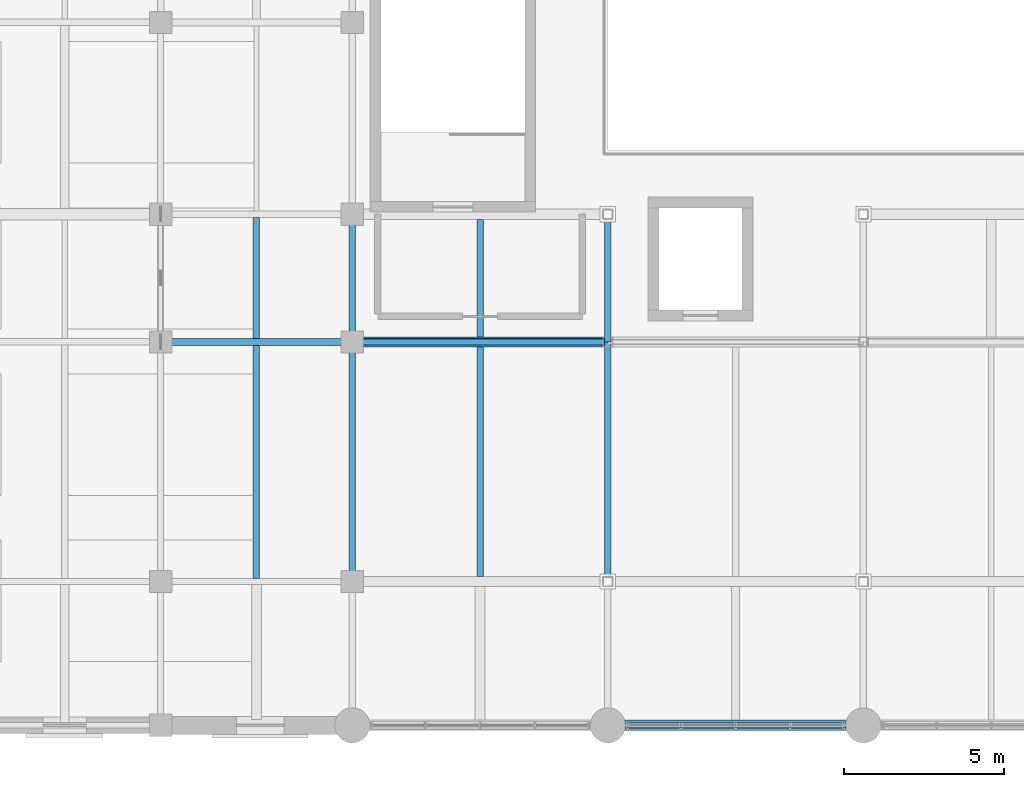
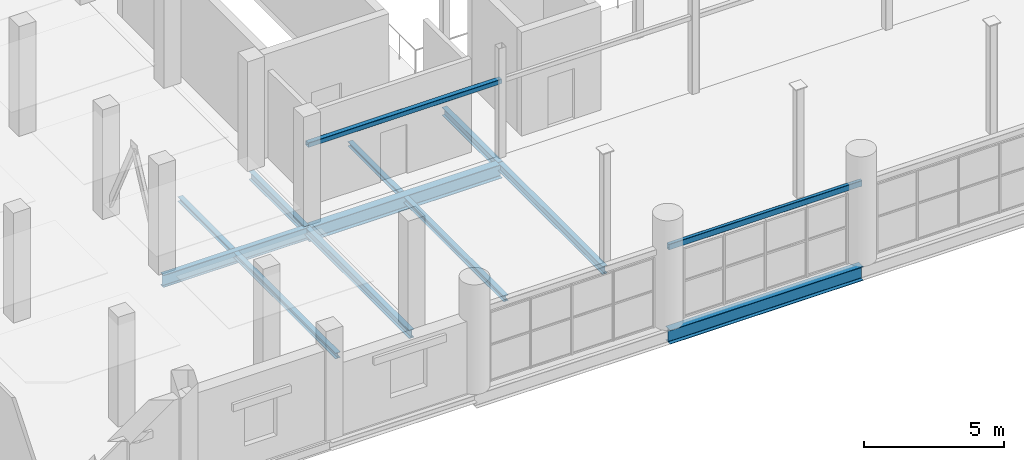
# One storey, part 16 of 114: 13 beams.
"""IFC4 building model written with IfcOpenShell, lengths in metres."""

from ifc_helpers import new_model, si_unit, direction, frame, origin, origin_2d, place, context, subcontext, project, spatial, hollow_rectangle, i_section, extrude, material, material_profile, profile_set, type_object, element, save


model = new_model("IFC4")

# Units and contexts
model_context = context("Model", 3, precision=1e-05, world=origin(), true_north=direction((0.0, 1.0)))
body_context = subcontext(model_context, "Body", "Model", "MODEL_VIEW")
ifc_project = project(units=[si_unit("LENGTHUNIT", "METRE"), si_unit("AREAUNIT", "SQUARE_METRE"), si_unit("VOLUMEUNIT", "CUBIC_METRE"), si_unit("PLANEANGLEUNIT", "RADIAN"), si_unit("MASSUNIT", "GRAM", prefix="KILO")], contexts=[model_context])

# Site, building, storey
site_placement = place(None, origin())
site = spatial("IfcSite", under=ifc_project, at=site_placement, CompositionType="ELEMENT")
building_placement = place(site_placement, origin())
building = spatial("IfcBuilding", under=site, at=building_placement, Name="Verrall Gate Interchange", CompositionType="ELEMENT")
storey_placement = place(building_placement, frame((0.0, 0.0, 6.60009765625)))
storey = spatial("IfcBuildingStorey", under=building, at=storey_placement, Name="L02", CompositionType="ELEMENT", Elevation=6.60009765625)

# Beams
ifc_material_1 = material(Name="Structural Steel CSA G40.21 350WT Cat 4", Category="steel")
ifc_material_profile_1 = material_profile(ifc_material_1, i_section(OverallWidth=0.323974609375, OverallDepth=0.611083984375, WebThickness=0.0126953125, FlangeThickness=0.01904296875, FilletRadius=0.014892578125, at=origin_2d()), Name="W610x155")
ifc_profile_set_1 = profile_set([ifc_material_profile_1], Name="Structural Steel CSA G40.21 350WT Cat 4")
beam_type_1 = type_object("IfcBeamType", Name="B-08 Structural Beam W610x155", PredefinedType="BEAM", material=ifc_profile_set_1)
for number, where, z_axis, x_axis, name in (
    (1, (44.0, 0.0, -0.585693359375), (1.0, 0.0, 0.0), (0.0, 1.0, 0.0), "L02 Girder BM-L02-1442 (B-08)"),
    (2, (36.0, 12.0, -0.585693359375), (1.0, 0.0, 0.0), (0.0, 1.0, 0.0), "L02 Girder BM-L02-1472 (B-08)"),
):
    element("IfcBeam", number, at=place(storey_placement, frame(where, z_axis=z_axis, x_axis=x_axis)), inside=storey, type_object=beam_type_1, Name=name, PredefinedType="BEAM", context=body_context, shape_type="SweptSolid", body=[
        extrude(i_section(OverallWidth=0.323974609375, OverallDepth=0.611083984375, WebThickness=0.0126953125, FlangeThickness=0.01904296875, FilletRadius=0.014892578125, at=origin_2d()), origin(), (0.0, 0.0, 1.0), 8.0),
    ])
ifc_material_2 = material(Name="Structural Steel CSA G40.21 350W", Category="steel")
ifc_material_profile_2 = material_profile(ifc_material_2, i_section(OverallWidth=0.2109375, OverallDepth=0.5390625, WebThickness=0.01171875, FlangeThickness=0.018798828125, FilletRadius=0.013916015625, at=origin_2d()), Name="W530x109")
ifc_profile_set_2 = profile_set([ifc_material_profile_2], Name="Structural Steel CSA G40.21 350W")
beam_type_2 = type_object("IfcBeamType", Name="B-10 Structural Beam W530x109", PredefinedType="BEAM", material=ifc_profile_set_2)
beam_1_placement = place(storey_placement, frame((30.0, 12.0, -0.549560546875), z_axis=(1.0, 0.0, 0.0), x_axis=(0.0, 1.0, 0.0)))
element("IfcBeam", 3, at=beam_1_placement, inside=storey, type_object=beam_type_2, Name="L02 Girder BM-L02-1471 (B-10)", PredefinedType="BEAM", context=body_context, shape_type="SweptSolid", body=[
    extrude(i_section(OverallWidth=0.2109375, OverallDepth=0.5390625, WebThickness=0.01171875, FlangeThickness=0.018798828125, FilletRadius=0.013916015625, at=origin_2d()), origin(), (0.0, 0.0, 1.0), 6.0),
])
ifc_material_3 = material(Name="Structural Steel CSA G40.21 350W", Category="steel")
ifc_material_profile_3 = material_profile(ifc_material_3, i_section(OverallWidth=0.205078125, OverallDepth=0.35400390625, WebThickness=0.009521484375, FlangeThickness=0.016845703125, FilletRadius=0.012939453125, at=origin_2d()), Name="W360x79")
ifc_profile_set_3 = profile_set([ifc_material_profile_3], Name="Structural Steel CSA G40.21 350W")
beam_type_3 = type_object("IfcBeamType", Name="B-14 Structural Beam W360x79", PredefinedType="BEAM", material=ifc_profile_set_3)
beam_2_placement = place(storey_placement, frame((36.0, 4.5, -0.45703125), z_axis=(0.0, 1.0, 0.0), x_axis=(-1.0, 0.0, 0.0)))
element("IfcBeam", 4, at=beam_2_placement, inside=storey, type_object=beam_type_3, Name="L02 Girder BM-L02-1719 (B-14)", PredefinedType="BEAM", context=body_context, shape_type="SweptSolid", body=[
    extrude(i_section(OverallWidth=0.205078125, OverallDepth=0.35400390625, WebThickness=0.009521484375, FlangeThickness=0.016845703125, FilletRadius=0.012939453125, at=origin_2d()), origin(), (0.0, 0.0, 1.0), 7.5),
])
beam_3_placement = place(storey_placement, frame((36.0, 12.0, -0.45703125), z_axis=(0.0, 1.0, 0.0), x_axis=(-1.0, 0.0, 0.0)))
element("IfcBeam", 5, at=beam_3_placement, inside=storey, type_object=beam_type_3, Name="L02 Girder BM-L02-1720 (B-14)", PredefinedType="BEAM", context=body_context, shape_type="SweptSolid", body=[
    extrude(i_section(OverallWidth=0.205078125, OverallDepth=0.35400390625, WebThickness=0.009521484375, FlangeThickness=0.016845703125, FilletRadius=0.012939453125, at=origin_2d()), origin(), (0.0, 0.0, 1.0), 4.0),
])
beam_4_placement = place(storey_placement, frame((44.0, 4.5, -0.45703125), z_axis=(0.0, 1.0, 0.0), x_axis=(-1.0, 0.0, 0.0)))
element("IfcBeam", 6, at=beam_4_placement, inside=storey, type_object=beam_type_3, Name="L02 Girder BM-L02-1733 (B-14)", PredefinedType="BEAM", context=body_context, shape_type="SweptSolid", body=[
    extrude(i_section(OverallWidth=0.205078125, OverallDepth=0.35400390625, WebThickness=0.009521484375, FlangeThickness=0.016845703125, FilletRadius=0.012939453125, at=origin_2d()), origin(), (0.0, 0.0, 1.0), 7.5),
])
beam_5_placement = place(storey_placement, frame((44.0, 12.0, -0.45703125), z_axis=(0.0, 1.0, 0.0), x_axis=(-1.0, 0.0, 0.0)))
element("IfcBeam", 7, at=beam_5_placement, inside=storey, type_object=beam_type_3, Name="L02 Girder BM-L02-1734 (B-14)", PredefinedType="BEAM", context=body_context, shape_type="SweptSolid", body=[
    extrude(i_section(OverallWidth=0.205078125, OverallDepth=0.35400390625, WebThickness=0.009521484375, FlangeThickness=0.016845703125, FilletRadius=0.012939453125, at=origin_2d()), origin(), (0.0, 0.0, 1.0), 4.0),
])
ifc_material_4 = material(Name="Structural Steel CSA G40.21 350W", Category="steel")
ifc_material_profile_4 = material_profile(ifc_material_4, i_section(OverallWidth=0.201904296875, OverallDepth=0.2470703125, WebThickness=0.00732421875, FlangeThickness=0.010986328125, FilletRadius=0.010986328125, at=origin_2d()), Name="W250x49")
ifc_profile_set_4 = profile_set([ifc_material_profile_4], Name="Structural Steel CSA G40.21 350W")
beam_type_4 = type_object("IfcBeamType", Name="J-06 Floor Joist W250x49", PredefinedType="JOIST", material=ifc_profile_set_4)
beam_6_placement = place(storey_placement, frame((33.0, 4.589599609375, -0.403564453125), z_axis=(0.0, 1.0, 0.0), x_axis=(-1.0, 0.0, 0.0)))
element("IfcBeam", 8, at=beam_6_placement, inside=storey, type_object=beam_type_4, Name="L02 Secondary Floor Joist JST-L02-1857", PredefinedType="JOIST", context=body_context, shape_type="SweptSolid", body=[
    extrude(i_section(OverallWidth=0.201904296875, OverallDepth=0.2470703125, WebThickness=0.00732421875, FlangeThickness=0.010986328125, FilletRadius=0.010986328125, at=origin_2d()), origin(), (0.0, 0.0, 1.0), 7.304931640625),
])
beam_7_placement = place(storey_placement, frame((40.0, 4.662109375, -0.403564453125), z_axis=(0.0, 1.0, 0.0), x_axis=(-1.0, 0.0, 0.0)))
element("IfcBeam", 9, at=beam_7_placement, inside=storey, type_object=beam_type_4, Name="L02 Secondary Floor Joist JST-L02-1858", PredefinedType="JOIST", context=body_context, shape_type="SweptSolid", body=[
    extrude(i_section(OverallWidth=0.201904296875, OverallDepth=0.2470703125, WebThickness=0.00732421875, FlangeThickness=0.010986328125, FilletRadius=0.010986328125, at=origin_2d()), origin(), (0.0, 0.0, 1.0), 7.17578125),
])
ifc_material_5 = material(Name="Structural Steel CSA G40.21 350W", Category="steel")
ifc_material_profile_5 = material_profile(ifc_material_5, i_section(OverallWidth=0.202880859375, OverallDepth=0.202880859375, WebThickness=0.007080078125, FlangeThickness=0.010986328125, FilletRadius=0.010009765625, at=origin_2d()), Name="W200x46")
ifc_profile_set_5 = profile_set([ifc_material_profile_5], Name="Structural Steel CSA G40.21 350W")
beam_type_5 = type_object("IfcBeamType", Name="J-07 Floor Joist W200x46", PredefinedType="JOIST", material=ifc_profile_set_5)
beam_8_placement = place(storey_placement, frame((33.0, 12.10546875, -0.381591796875), z_axis=(0.0, 1.0, 0.0), x_axis=(-1.0, 0.0, 0.0)))
element("IfcBeam", 10, at=beam_8_placement, inside=storey, type_object=beam_type_5, Name="L02 Secondary Floor Joist JST-L02-1870", PredefinedType="JOIST", context=body_context, shape_type="SweptSolid", body=[
    extrude(i_section(OverallWidth=0.202880859375, OverallDepth=0.202880859375, WebThickness=0.007080078125, FlangeThickness=0.010986328125, FilletRadius=0.010009765625, at=origin_2d()), origin(), (0.0, 0.0, 1.0), 3.7919921875),
])
beam_9_placement = place(storey_placement, frame((40.0, 12.162109375, -0.381591796875), z_axis=(0.0, 1.0, 0.0), x_axis=(-1.0, 0.0, 0.0)))
element("IfcBeam", 11, at=beam_9_placement, inside=storey, type_object=beam_type_5, Name="L02 Secondary Floor Joist JST-L02-1871", PredefinedType="JOIST", context=body_context, shape_type="SweptSolid", body=[
    extrude(i_section(OverallWidth=0.202880859375, OverallDepth=0.202880859375, WebThickness=0.007080078125, FlangeThickness=0.010986328125, FilletRadius=0.010009765625, at=origin_2d()), origin(), (0.0, 0.0, 1.0), 3.67578125),
])
ifc_material_6 = material(Name="Structural Steel CSA G40.21 350W", Category="steel")
ifc_material_profile_6 = material_profile(ifc_material_6, hollow_rectangle(XDim=0.152099609375, YDim=0.25390625, WallThickness=0.009521484375, InnerFilletRadius=0.009521484375, OuterFilletRadius=0.01904296875, at=origin_2d()), Name="HSS254x152x9.5")
ifc_profile_set_6 = profile_set([ifc_material_profile_6], Name="Structural Steel CSA G40.21 350W")
beam_type_6 = type_object("IfcBeamType", Name="LN-01 Portal Lintel HSS254x152x9.5", PredefinedType="LINTEL", material=ifc_profile_set_6)
beam_10_placement = place(storey_placement, frame((44.0, 0.0, 3.2998046875), z_axis=(1.0, 0.0, 0.0), x_axis=(0.0, 1.0, 0.0)))
element("IfcBeam", 12, at=beam_10_placement, inside=storey, type_object=beam_type_6, Name="Classical Portal Lintel 021", PredefinedType="LINTEL", context=body_context, shape_type="SweptSolid", body=[
    extrude(hollow_rectangle(XDim=0.152099609375, YDim=0.25390625, WallThickness=0.009521484375, InnerFilletRadius=0.009521484375, OuterFilletRadius=0.01904296875, at=origin_2d()), origin(), (0.0, 0.0, 1.0), 8.0),
])
ifc_material_7 = material(Name="Structural Steel CSA G40.21 350W", Category="steel")
ifc_material_profile_7 = material_profile(ifc_material_7, hollow_rectangle(XDim=0.202880859375, YDim=0.202880859375, WallThickness=0.009521484375, InnerFilletRadius=0.009521484375, OuterFilletRadius=0.01904296875, at=origin_2d()), Name="HSS203x203x9.5")
ifc_profile_set_7 = profile_set([ifc_material_profile_7], Name="Structural Steel CSA G40.21 350W")
beam_type_7 = type_object("IfcBeamType", Name="LN-04 Portal Lintel HSS203x203x9.5", PredefinedType="LINTEL", material=ifc_profile_set_7)
beam_11_placement = place(storey_placement, frame((36.0, 12.0, 3.2998046875), z_axis=(1.0, 0.0, 0.0), x_axis=(0.0, 1.0, 0.0)))
element("IfcBeam", 13, at=beam_11_placement, inside=storey, type_object=beam_type_7, Name="Classical Portal Lintel 020", PredefinedType="LINTEL", context=body_context, shape_type="SweptSolid", body=[
    extrude(hollow_rectangle(XDim=0.202880859375, YDim=0.202880859375, WallThickness=0.009521484375, InnerFilletRadius=0.009521484375, OuterFilletRadius=0.01904296875, at=origin_2d()), origin(), (0.0, 0.0, 1.0), 8.0),
])

save(model, "model.ifc")
